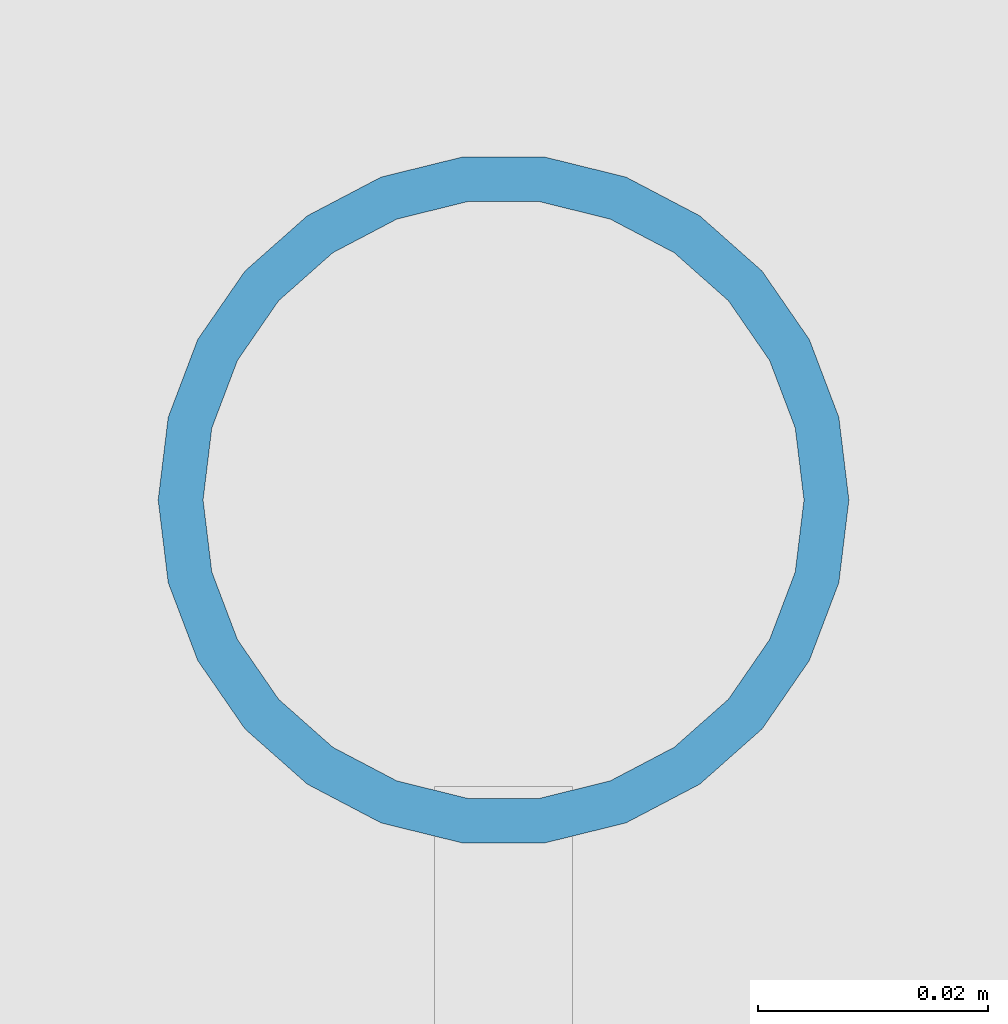
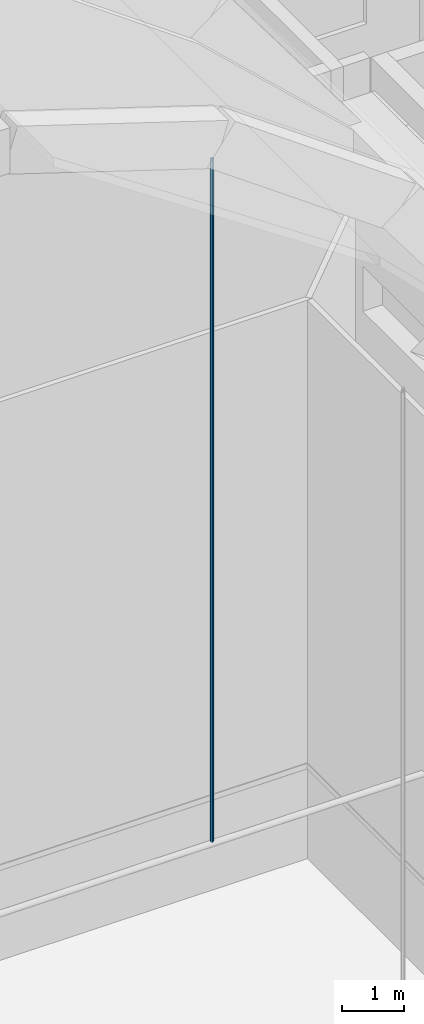
# One storey, part 27 of 55: 1 member.
"""IFC4 building model written with IfcOpenShell, lengths in metres."""

from ifc_helpers import new_model, si_unit, direction, frame, origin, origin_2d, place, context, subcontext, project, spatial, hollow_circle, extrude, material, material_profile, profile_set, type_object, element, save


model = new_model("IFC4")

# Units and contexts
model_context = context("Model", 3, precision=1e-05, world=origin(), true_north=direction((0.0, 1.0)))
body_context = subcontext(model_context, "Body", "Model", "MODEL_VIEW")
ifc_project = project(units=[si_unit("LENGTHUNIT", "METRE"), si_unit("AREAUNIT", "SQUARE_METRE"), si_unit("VOLUMEUNIT", "CUBIC_METRE"), si_unit("PLANEANGLEUNIT", "RADIAN"), si_unit("MASSUNIT", "GRAM", prefix="KILO")], contexts=[model_context])

# Site, building, storey
site_placement = place(None, origin())
site = spatial("IfcSite", under=ifc_project, at=site_placement, CompositionType="ELEMENT")
building_placement = place(site_placement, origin())
building = spatial("IfcBuilding", under=site, at=building_placement, Name="Lunette Opera House", CompositionType="ELEMENT")
storey_placement = place(building_placement, frame((0.0, 0.0, 34.0)))
storey = spatial("IfcBuildingStorey", under=building, at=storey_placement, Name="L06", CompositionType="ELEMENT", Elevation=34.0)

# Member
ifc_material = material(Name="Steel S355", Category="steel")
ifc_material_profile = material_profile(ifc_material, hollow_circle(Radius=0.030029296875, WallThickness=0.00390625, at=origin_2d()), Name="CHS 60.3X4")
ifc_profile_set = profile_set([ifc_material_profile], Name="Steel S355")
member_type = type_object("IfcMemberType", Name="CHS 60.3X4", PredefinedType="POST", material=ifc_profile_set)
member_placement = place(storey_placement, frame((102.0, 114.199951171875, 4.030029296875), z_axis=(0.0, 0.0, 1.0), x_axis=(1.0, 0.0, 0.0)))
element("IfcMember", 1, at=member_placement, inside=storey, type_object=member_type, Name="mem-ST-L06-TH4-102", PredefinedType="POST", context=body_context, shape_type="SweptSolid", body=[
    extrude(hollow_circle(Radius=0.030029296875, WallThickness=0.00390625, at=origin_2d()), origin(), (0.0, 0.0, 1.0), 13.5390625),
])

save(model, "model.ifc")
